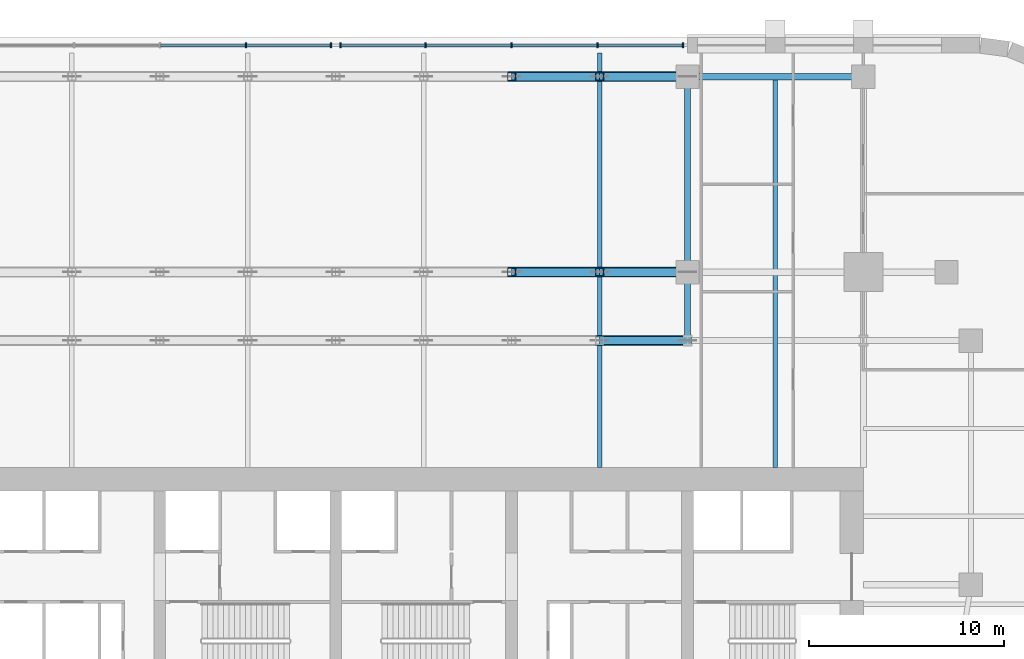
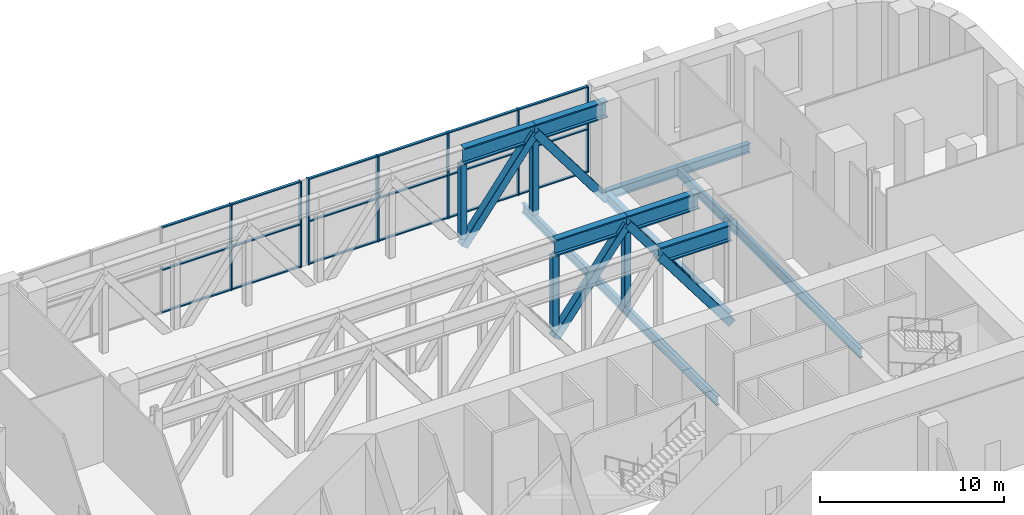
# One storey, part 3 of 13: 39 members, 4 beams, 2 elements without a shape of their own.
"""IFC4 building model written with IfcOpenShell, lengths in metres."""

import ifcopenshell
import ifcopenshell.guid

model = None  # the IFC model being written
_history = None  # IfcOwnerHistory: only IFC2X3 demands one
_inside = {}  # id of a spatial element -> (the spatial element, [elements in it])
_under = {}  # id of a project, library or spatial element -> (it, [spatial elements below it])
_declared = {}  # id of a project -> (the project, [libraries it declares])
_typed = {}  # id of a type object -> (the type object, [elements of that type])
_made_of = {}  # id of a material, layer set ... -> (it, [elements and type objects made of it])


def new_model(schema):
    """Start an empty IFC model of exactly this schema.

    Asked for "IFC4X3", IfcOpenShell would pick the latest addendum, in which some entities
    have other attributes; the version numbers below select the first issue.
    IFC2X3 requires an IfcOwnerHistory on every rooted entity: one is made here for all.
    """
    global model, _history
    if schema == "IFC4X3":
        model = ifcopenshell.file(schema_version=(4, 3, 0, 0))
    else:
        model = ifcopenshell.file(schema=schema)
    _inside.clear()
    _under.clear()
    _declared.clear()
    _typed.clear()
    _made_of.clear()
    _history = None
    if model.schema == "IFC2X3":
        org = make("IfcOrganization", Name="unknown")
        user = make(
            "IfcPersonAndOrganization",
            ThePerson=make("IfcPerson", FamilyName="unknown"),
            TheOrganization=org,
        )
        app = make(
            "IfcApplication",
            ApplicationDeveloper=org,
            Version="unknown",
            ApplicationFullName="unknown",
            ApplicationIdentifier="unknown",
        )
        _history = make(
            "IfcOwnerHistory",
            OwningUser=user,
            OwningApplication=app,
            ChangeAction="ADDED",
            CreationDate=0,
        )
    return model


def make(cls, **values):
    """One entity of the class cls with the attributes given. An attribute that is None is left unset."""
    return model.create_entity(
        cls, **{name: value for name, value in values.items() if value is not None}
    )


def rooted(cls, **values):
    """An entity with a GlobalId (a new one), such as an element, a storey or a relation."""
    return make(cls, GlobalId=ifcopenshell.guid.new(), OwnerHistory=_history, **values)


def si_unit(unit_type, name, prefix=None):
    """IfcSIUnit, for example si_unit("LENGTHUNIT", "METRE", prefix="MILLI")."""
    return make("IfcSIUnit", UnitType=unit_type, Prefix=prefix, Name=name)


def assignment(units):
    """IfcUnitAssignment: the units of a project."""
    return None if units is None else make("IfcUnitAssignment", Units=units)


def point(xyz):
    """IfcCartesianPoint."""
    return None if xyz is None else make("IfcCartesianPoint", Coordinates=xyz)


def direction(xyz):
    """IfcDirection."""
    return None if xyz is None else make("IfcDirection", DirectionRatios=xyz)


def frame(location, z_axis=None, x_axis=None):
    """IfcAxis2Placement3D, a coordinate frame: its origin and axes. An axis left out is left unset."""
    return make(
        "IfcAxis2Placement3D",
        Location=point(location),
        Axis=direction(z_axis),
        RefDirection=direction(x_axis),
    )


def frame_2d(location, x_axis=None):
    """IfcAxis2Placement2D, a coordinate frame in the plane: its origin and x axis."""
    return make(
        "IfcAxis2Placement2D", Location=point(location), RefDirection=direction(x_axis)
    )


def origin():
    """The frame at (0, 0, 0) with its axes left unset."""
    return frame((0.0, 0.0, 0.0))


def origin_2d():
    """The frame at (0, 0) in the plane with its x axis left unset."""
    return frame_2d((0.0, 0.0))


def place(relative_to, where):
    """IfcLocalPlacement: puts the frame where relative to a parent placement (None: the world)."""
    return make(
        "IfcLocalPlacement", PlacementRelTo=relative_to, RelativePlacement=where
    )


def context(
    kind, dimensions, precision=None, world=None, true_north=None, identifier=None
):
    """IfcGeometricRepresentationContext, for example the 3D "Model" context."""
    return make(
        "IfcGeometricRepresentationContext",
        ContextIdentifier=identifier,
        ContextType=kind,
        CoordinateSpaceDimension=dimensions,
        Precision=precision,
        WorldCoordinateSystem=world,
        TrueNorth=true_north,
    )


def subcontext(parent, identifier, kind, view, scale=None):
    """IfcGeometricRepresentationSubContext, for example "Body" below "Model"."""
    return make(
        "IfcGeometricRepresentationSubContext",
        ContextIdentifier=identifier,
        ContextType=kind,
        ParentContext=parent,
        TargetScale=scale,
        TargetView=view,
    )


def project(units=None, contexts=None):
    """IfcProject with its units and contexts."""
    return rooted(
        "IfcProject",
        Name="project",
        RepresentationContexts=contexts,
        UnitsInContext=assignment(units),
    )


def spatial(cls, under=None, at=None, **own):
    """A site, building, storey or space (cls), placed at a placement, below another one or the project."""
    s = rooted(cls, ObjectPlacement=at, **own)
    if under is not None:
        _under.setdefault(under.id(), (under, []))[1].append(s)
    return s


def profile(cls, at=None, kind="AREA", **sizes):
    """A parametric profile (cls). Its sizes go by their IFC names, for example OverallWidth=200.0."""
    return make(cls, ProfileType=kind, Position=at, **sizes)


def rectangle(**sizes):
    """IfcRectangleProfileDef."""
    return profile("IfcRectangleProfileDef", **sizes)


def hollow_rectangle(**sizes):
    """IfcRectangleHollowProfileDef."""
    return profile("IfcRectangleHollowProfileDef", **sizes)


def i_section(**sizes):
    """IfcIShapeProfileDef."""
    return profile("IfcIShapeProfileDef", **sizes)


def extrude(swept, where, along, depth):
    """IfcExtrudedAreaSolid: the profile swept, set in the frame where, extruded along a direction by depth."""
    return make(
        "IfcExtrudedAreaSolid",
        SweptArea=swept,
        Position=where,
        ExtrudedDirection=direction(along),
        Depth=depth,
    )


def shape(context_of_items, identifier, shape_type, items):
    """IfcShapeRepresentation: the items that make up one representation, for example the "Body"."""
    return make(
        "IfcShapeRepresentation",
        ContextOfItems=context_of_items,
        RepresentationIdentifier=identifier,
        RepresentationType=shape_type,
        Items=items,
    )


def material(Name=None, Category=None):
    """IfcMaterial."""
    return make("IfcMaterial", Name=Name, Category=Category)


def material_profile(
    of_material, cross_section, Name=None, Category=None, Priority=None
):
    """IfcMaterialProfile: a cross section and its material."""
    return make(
        "IfcMaterialProfile",
        Name=Name,
        Material=of_material,
        Profile=cross_section,
        Priority=Priority,
        Category=Category,
    )


def profile_set(profiles, Name=None, composite=None):
    """IfcMaterialProfileSet."""
    return make(
        "IfcMaterialProfileSet",
        Name=Name,
        MaterialProfiles=profiles,
        CompositeProfile=composite,
    )


def made_of(thing, what):
    """Note that an element or type object is made of a material, layer set ...; save() writes the relation."""
    if what is not None:
        _made_of.setdefault(what.id(), (what, []))[1].append(thing)
    return thing


def type_object(cls, material=None, **own):
    """A type object (cls), such as IfcWallType, which elements share."""
    return made_of(rooted(cls, **own), material)


def element(
    cls,
    number,
    at=None,
    inside=None,
    cuts=None,
    type_object=None,
    material=None,
    context=None,
    identifier="Body",
    shape_type=None,
    held_by="IfcProductDefinitionShape",
    body=None,
    shapes=None,
    **own,
):
    """One element of the class cls, such as IfcWall. Its Tag is "e" and its number.

    at: its placement. inside: the storey or other place that contains it. cuts: it is an
    opening in that element (IfcRelVoidsElement). A single representation is given by context,
    identifier, shape_type and body (its items); several are given by shapes. held_by: the class
    of the entity that holds the representations. save() writes the other relations.
    """
    e = rooted(cls, Tag="e%d" % number, ObjectPlacement=at, **own)
    if body is not None:
        shapes = [shape(context, identifier, shape_type, body)]
    if shapes is not None:
        e.Representation = make(held_by, Representations=shapes)
    if inside is not None:
        _inside.setdefault(inside.id(), (inside, []))[1].append(e)
    if cuts is not None:
        rooted(
            "IfcRelVoidsElement", RelatingBuildingElement=cuts, RelatedOpeningElement=e
        )
    if type_object is not None:
        _typed.setdefault(type_object.id(), (type_object, []))[1].append(e)
    return made_of(e, material)


def aggregate(whole, parts):
    """IfcRelAggregates: a whole, such as a stair, and the parts it consists of."""
    return rooted("IfcRelAggregates", RelatingObject=whole, RelatedObjects=parts)


def save(model, path):
    """Write the relations noted so far, then the file.

    IfcRelAggregates (storeys below a building ...), IfcRelContainedInSpatialStructure (elements
    in a storey), IfcRelDefinesByType, IfcRelAssociatesMaterial and IfcRelDeclares: one each for
    every whole, place, type object, material and project.
    """
    for whole, parts in _under.values():
        aggregate(whole, parts)
    for where, things in _inside.values():
        rooted(
            "IfcRelContainedInSpatialStructure",
            RelatedElements=things,
            RelatingStructure=where,
        )
    for kind, things in _typed.values():
        rooted("IfcRelDefinesByType", RelatedObjects=things, RelatingType=kind)
    for what, things in _made_of.values():
        rooted("IfcRelAssociatesMaterial", RelatedObjects=things, RelatingMaterial=what)
    for by, libraries in _declared.values():
        rooted("IfcRelDeclares", RelatingContext=by, RelatedDefinitions=libraries)
    model.write(path)


model = new_model("IFC4")

# Units and contexts
model_context = context("Model", 3, precision=1e-05, world=origin(), true_north=direction((0.0, 1.0)))
body_context = subcontext(model_context, "Body", "Model", "MODEL_VIEW")
ifc_project = project(units=[si_unit("LENGTHUNIT", "METRE"), si_unit("AREAUNIT", "SQUARE_METRE"), si_unit("VOLUMEUNIT", "CUBIC_METRE"), si_unit("PLANEANGLEUNIT", "RADIAN"), si_unit("MASSUNIT", "GRAM", prefix="KILO")], contexts=[model_context])

# Site, building, storey
site_placement = place(None, origin())
site = spatial("IfcSite", under=ifc_project, at=site_placement, CompositionType="ELEMENT")
building_placement = place(site_placement, origin())
building = spatial("IfcBuilding", under=site, at=building_placement, Name="Zellij Exchange Tower", CompositionType="ELEMENT")
storey_placement = place(building_placement, frame((0.0, 0.0, 27.0)))
storey = spatial("IfcBuildingStorey", under=building, at=storey_placement, Name="L04", CompositionType="ELEMENT", Elevation=27.0)

# Curtain wall, members
ifc_material_1 = material(Name="Aluminium frame, clear insulating glass", Category="aluminium")
curtain_wall_type = type_object("IfcCurtainWallType", Name="ENV-CW3 Exchange-hall glazing", PredefinedType="NOTDEFINED", material=ifc_material_1)
curtain_wall_1_placement = place(storey_placement, origin())
curtain_wall_1 = element("IfcCurtainWall", 1, at=curtain_wall_1_placement, inside=storey, type_object=curtain_wall_type, Name="cw.L04.14b", PredefinedType="NOTDEFINED")
ifc_material_2 = material(Name="Aluminium", Category="aluminium")
ifc_material_profile_1 = material_profile(ifc_material_2, rectangle(XDim=0.080078125, YDim=0.25, at=origin_2d()), Name="AL 80x250")
ifc_profile_set_1 = profile_set([ifc_material_profile_1], Name="Aluminium")
member_type_1 = type_object("IfcMemberType", Name="ENV-CW3M Mullion 80x250", PredefinedType="MULLION", material=ifc_profile_set_1)
member_1_placement = place(storey_placement, frame((17.760009765625, 19.60009765625, 0.0), z_axis=(0.0, 0.0, 1.0), x_axis=(-1.0, 0.0, 0.0)))
member_1 = element("IfcMember", 2, at=member_1_placement, type_object=member_type_1, Name="CW3 mullion 1", PredefinedType="MULLION", context=body_context, shape_type="SweptSolid", body=[
    extrude(rectangle(XDim=0.080078125, YDim=0.25, at=origin_2d()), origin(), (0.0, 0.0, 1.0), 5.699951171875),
])
member_2_placement = place(storey_placement, frame((13.39990234375, 19.60009765625, 0.0), z_axis=(0.0, 0.0, 1.0), x_axis=(-1.0, 0.0, 0.0)))
member_2 = element("IfcMember", 3, at=member_2_placement, type_object=member_type_1, Name="CW3 mullion 2", PredefinedType="MULLION", context=body_context, shape_type="SweptSolid", body=[
    extrude(rectangle(XDim=0.080078125, YDim=0.25, at=origin_2d()), origin(), (0.0, 0.0, 1.0), 5.699951171875),
])
member_3_placement = place(storey_placement, frame((9.0, 19.60009765625, 0.0), z_axis=(0.0, 0.0, 1.0), x_axis=(-1.0, 0.0, 0.0)))
member_3 = element("IfcMember", 4, at=member_3_placement, type_object=member_type_1, Name="CW3 mullion 3", PredefinedType="MULLION", context=body_context, shape_type="SweptSolid", body=[
    extrude(rectangle(XDim=0.080078125, YDim=0.25, at=origin_2d()), origin(), (0.0, 0.0, 1.0), 5.699951171875),
])
member_4_placement = place(storey_placement, frame((4.60009765625, 19.60009765625, 0.0), z_axis=(0.0, 0.0, 1.0), x_axis=(-1.0, 0.0, 0.0)))
member_4 = element("IfcMember", 5, at=member_4_placement, type_object=member_type_1, Name="CW3 mullion 4", PredefinedType="MULLION", context=body_context, shape_type="SweptSolid", body=[
    extrude(rectangle(XDim=0.080078125, YDim=0.25, at=origin_2d()), origin(), (0.0, 0.0, 1.0), 5.699951171875),
])
member_5_placement = place(storey_placement, frame((0.239990234375, 19.60009765625, 0.0), z_axis=(0.0, 0.0, 1.0), x_axis=(-1.0, 0.0, 0.0)))
member_5 = element("IfcMember", 6, at=member_5_placement, type_object=member_type_1, Name="CW3 mullion 5", PredefinedType="MULLION", context=body_context, shape_type="SweptSolid", body=[
    extrude(rectangle(XDim=0.080078125, YDim=0.25, at=origin_2d()), origin(), (0.0, 0.0, 1.0), 5.699951171875),
])

curtain_wall_2_placement = place(storey_placement, origin())
curtain_wall_2 = element("IfcCurtainWall", 7, at=curtain_wall_2_placement, inside=storey, type_object=curtain_wall_type, Name="cw.L04.14c", PredefinedType="NOTDEFINED")
member_6_placement = place(storey_placement, frame((-0.239990234375, 19.60009765625, 0.0), z_axis=(0.0, 0.0, 1.0), x_axis=(-1.0, 0.0, 0.0)))
member_6 = element("IfcMember", 8, at=member_6_placement, type_object=member_type_1, Name="CW3 mullion 1", PredefinedType="MULLION", context=body_context, shape_type="SweptSolid", body=[
    extrude(rectangle(XDim=0.080078125, YDim=0.25, at=origin_2d()), origin(), (0.0, 0.0, 1.0), 5.699951171875),
])
member_7_placement = place(storey_placement, frame((-4.60009765625, 19.60009765625, 0.0), z_axis=(0.0, 0.0, 1.0), x_axis=(-1.0, 0.0, 0.0)))
member_7 = element("IfcMember", 9, at=member_7_placement, type_object=member_type_1, Name="CW3 mullion 2", PredefinedType="MULLION", context=body_context, shape_type="SweptSolid", body=[
    extrude(rectangle(XDim=0.080078125, YDim=0.25, at=origin_2d()), origin(), (0.0, 0.0, 1.0), 5.699951171875),
])

# Member
ifc_material_profile_2 = material_profile(ifc_material_2, rectangle(XDim=0.159912109375, YDim=0.080078125, at=origin_2d()), Name="AL 160x80")
ifc_profile_set_2 = profile_set([ifc_material_profile_2], Name="Aluminium")
member_type_2 = type_object("IfcMemberType", Name="ENV-CW3T Transom 160x80", PredefinedType="USERDEFINED", material=ifc_profile_set_2)
member_8_placement = place(storey_placement, frame((17.719970703125, 19.60009765625, 0.0400390625), z_axis=(-1.0, 0.0, 0.0), x_axis=(0.0, -1.0, 0.0)))
member_8 = element("IfcMember", 10, at=member_8_placement, type_object=member_type_2, Name="CW3 transom 1.1", ObjectType="TRANSOM", PredefinedType="USERDEFINED", context=body_context, shape_type="SweptSolid", body=[
    extrude(rectangle(XDim=0.159912109375, YDim=0.080078125, at=origin_2d()), origin(), (0.0, 0.0, 1.0), 4.280029296875),
])

member_9_placement = place(storey_placement, frame((17.719970703125, 19.60009765625, 2.85009765625), z_axis=(-1.0, 0.0, 0.0), x_axis=(0.0, -1.0, 0.0)))
member_9 = element("IfcMember", 11, at=member_9_placement, type_object=member_type_2, Name="CW3 transom 1.2", ObjectType="TRANSOM", PredefinedType="USERDEFINED", context=body_context, shape_type="SweptSolid", body=[
    extrude(rectangle(XDim=0.159912109375, YDim=0.080078125, at=origin_2d()), origin(), (0.0, 0.0, 1.0), 4.280029296875),
])

member_10_placement = place(storey_placement, frame((17.719970703125, 19.60009765625, 5.659912109375), z_axis=(-1.0, 0.0, 0.0), x_axis=(0.0, -1.0, 0.0)))
member_10 = element("IfcMember", 12, at=member_10_placement, type_object=member_type_2, Name="CW3 transom 1.3", ObjectType="TRANSOM", PredefinedType="USERDEFINED", context=body_context, shape_type="SweptSolid", body=[
    extrude(rectangle(XDim=0.159912109375, YDim=0.080078125, at=origin_2d()), origin(), (0.0, 0.0, 1.0), 4.280029296875),
])

member_11_placement = place(storey_placement, frame((13.360107421875, 19.60009765625, 0.0400390625), z_axis=(-1.0, 0.0, 0.0), x_axis=(0.0, -1.0, 0.0)))
member_11 = element("IfcMember", 13, at=member_11_placement, type_object=member_type_2, Name="CW3 transom 2.1", ObjectType="TRANSOM", PredefinedType="USERDEFINED", context=body_context, shape_type="SweptSolid", body=[
    extrude(rectangle(XDim=0.159912109375, YDim=0.080078125, at=origin_2d()), origin(), (0.0, 0.0, 1.0), 4.320068359375),
])

member_12_placement = place(storey_placement, frame((13.360107421875, 19.60009765625, 2.85009765625), z_axis=(-1.0, 0.0, 0.0), x_axis=(0.0, -1.0, 0.0)))
member_12 = element("IfcMember", 14, at=member_12_placement, type_object=member_type_2, Name="CW3 transom 2.2", ObjectType="TRANSOM", PredefinedType="USERDEFINED", context=body_context, shape_type="SweptSolid", body=[
    extrude(rectangle(XDim=0.159912109375, YDim=0.080078125, at=origin_2d()), origin(), (0.0, 0.0, 1.0), 4.320068359375),
])

member_13_placement = place(storey_placement, frame((13.360107421875, 19.60009765625, 5.659912109375), z_axis=(-1.0, 0.0, 0.0), x_axis=(0.0, -1.0, 0.0)))
member_13 = element("IfcMember", 15, at=member_13_placement, type_object=member_type_2, Name="CW3 transom 2.3", ObjectType="TRANSOM", PredefinedType="USERDEFINED", context=body_context, shape_type="SweptSolid", body=[
    extrude(rectangle(XDim=0.159912109375, YDim=0.080078125, at=origin_2d()), origin(), (0.0, 0.0, 1.0), 4.320068359375),
])

member_14_placement = place(storey_placement, frame((8.9599609375, 19.60009765625, 0.0400390625), z_axis=(-1.0, 0.0, 0.0), x_axis=(0.0, -1.0, 0.0)))
member_14 = element("IfcMember", 16, at=member_14_placement, type_object=member_type_2, Name="CW3 transom 3.1", ObjectType="TRANSOM", PredefinedType="USERDEFINED", context=body_context, shape_type="SweptSolid", body=[
    extrude(rectangle(XDim=0.159912109375, YDim=0.080078125, at=origin_2d()), origin(), (0.0, 0.0, 1.0), 4.320068359375),
])

member_15_placement = place(storey_placement, frame((8.9599609375, 19.60009765625, 2.85009765625), z_axis=(-1.0, 0.0, 0.0), x_axis=(0.0, -1.0, 0.0)))
member_15 = element("IfcMember", 17, at=member_15_placement, type_object=member_type_2, Name="CW3 transom 3.2", ObjectType="TRANSOM", PredefinedType="USERDEFINED", context=body_context, shape_type="SweptSolid", body=[
    extrude(rectangle(XDim=0.159912109375, YDim=0.080078125, at=origin_2d()), origin(), (0.0, 0.0, 1.0), 4.320068359375),
])

member_16_placement = place(storey_placement, frame((8.9599609375, 19.60009765625, 5.659912109375), z_axis=(-1.0, 0.0, 0.0), x_axis=(0.0, -1.0, 0.0)))
member_16 = element("IfcMember", 18, at=member_16_placement, type_object=member_type_2, Name="CW3 transom 3.3", ObjectType="TRANSOM", PredefinedType="USERDEFINED", context=body_context, shape_type="SweptSolid", body=[
    extrude(rectangle(XDim=0.159912109375, YDim=0.080078125, at=origin_2d()), origin(), (0.0, 0.0, 1.0), 4.320068359375),
])

member_17_placement = place(storey_placement, frame((4.56005859375, 19.60009765625, 0.0400390625), z_axis=(-1.0, 0.0, 0.0), x_axis=(0.0, -1.0, 0.0)))
member_17 = element("IfcMember", 19, at=member_17_placement, type_object=member_type_2, Name="CW3 transom 4.1", ObjectType="TRANSOM", PredefinedType="USERDEFINED", context=body_context, shape_type="SweptSolid", body=[
    extrude(rectangle(XDim=0.159912109375, YDim=0.080078125, at=origin_2d()), origin(), (0.0, 0.0, 1.0), 4.280029296875),
])

member_18_placement = place(storey_placement, frame((4.56005859375, 19.60009765625, 2.85009765625), z_axis=(-1.0, 0.0, 0.0), x_axis=(0.0, -1.0, 0.0)))
member_18 = element("IfcMember", 20, at=member_18_placement, type_object=member_type_2, Name="CW3 transom 4.2", ObjectType="TRANSOM", PredefinedType="USERDEFINED", context=body_context, shape_type="SweptSolid", body=[
    extrude(rectangle(XDim=0.159912109375, YDim=0.080078125, at=origin_2d()), origin(), (0.0, 0.0, 1.0), 4.280029296875),
])

member_19_placement = place(storey_placement, frame((4.56005859375, 19.60009765625, 5.659912109375), z_axis=(-1.0, 0.0, 0.0), x_axis=(0.0, -1.0, 0.0)))
member_19 = element("IfcMember", 21, at=member_19_placement, type_object=member_type_2, Name="CW3 transom 4.3", ObjectType="TRANSOM", PredefinedType="USERDEFINED", context=body_context, shape_type="SweptSolid", body=[
    extrude(rectangle(XDim=0.159912109375, YDim=0.080078125, at=origin_2d()), origin(), (0.0, 0.0, 1.0), 4.280029296875),
])

aggregate(curtain_wall_1, [member_1, member_2, member_3, member_4, member_5, member_8, member_9, member_10, member_11, member_12, member_13, member_14, member_15, member_16, member_17, member_18, member_19])

member_20_placement = place(storey_placement, frame((-0.280029296875, 19.60009765625, 0.0400390625), z_axis=(-1.0, 0.0, 0.0), x_axis=(0.0, -1.0, 0.0)))
member_20 = element("IfcMember", 22, at=member_20_placement, type_object=member_type_2, Name="CW3 transom 1.1", ObjectType="TRANSOM", PredefinedType="USERDEFINED", context=body_context, shape_type="SweptSolid", body=[
    extrude(rectangle(XDim=0.159912109375, YDim=0.080078125, at=origin_2d()), origin(), (0.0, 0.0, 1.0), 4.280029296875),
])

member_21_placement = place(storey_placement, frame((-0.280029296875, 19.60009765625, 2.85009765625), z_axis=(-1.0, 0.0, 0.0), x_axis=(0.0, -1.0, 0.0)))
member_21 = element("IfcMember", 23, at=member_21_placement, type_object=member_type_2, Name="CW3 transom 1.2", ObjectType="TRANSOM", PredefinedType="USERDEFINED", context=body_context, shape_type="SweptSolid", body=[
    extrude(rectangle(XDim=0.159912109375, YDim=0.080078125, at=origin_2d()), origin(), (0.0, 0.0, 1.0), 4.280029296875),
])

member_22_placement = place(storey_placement, frame((-0.280029296875, 19.60009765625, 5.659912109375), z_axis=(-1.0, 0.0, 0.0), x_axis=(0.0, -1.0, 0.0)))
member_22 = element("IfcMember", 24, at=member_22_placement, type_object=member_type_2, Name="CW3 transom 1.3", ObjectType="TRANSOM", PredefinedType="USERDEFINED", context=body_context, shape_type="SweptSolid", body=[
    extrude(rectangle(XDim=0.159912109375, YDim=0.080078125, at=origin_2d()), origin(), (0.0, 0.0, 1.0), 4.280029296875),
])

member_23_placement = place(storey_placement, frame((-4.639892578125, 19.60009765625, 0.0400390625), z_axis=(-1.0, 0.0, 0.0), x_axis=(0.0, -1.0, 0.0)))
member_23 = element("IfcMember", 25, at=member_23_placement, type_object=member_type_2, Name="CW3 transom 2.1", ObjectType="TRANSOM", PredefinedType="USERDEFINED", context=body_context, shape_type="SweptSolid", body=[
    extrude(rectangle(XDim=0.159912109375, YDim=0.080078125, at=origin_2d()), origin(), (0.0, 0.0, 1.0), 4.320068359375),
])

member_24_placement = place(storey_placement, frame((-4.639892578125, 19.60009765625, 2.85009765625), z_axis=(-1.0, 0.0, 0.0), x_axis=(0.0, -1.0, 0.0)))
member_24 = element("IfcMember", 26, at=member_24_placement, type_object=member_type_2, Name="CW3 transom 2.2", ObjectType="TRANSOM", PredefinedType="USERDEFINED", context=body_context, shape_type="SweptSolid", body=[
    extrude(rectangle(XDim=0.159912109375, YDim=0.080078125, at=origin_2d()), origin(), (0.0, 0.0, 1.0), 4.320068359375),
])

member_25_placement = place(storey_placement, frame((-4.639892578125, 19.60009765625, 5.659912109375), z_axis=(-1.0, 0.0, 0.0), x_axis=(0.0, -1.0, 0.0)))
member_25 = element("IfcMember", 27, at=member_25_placement, type_object=member_type_2, Name="CW3 transom 2.3", ObjectType="TRANSOM", PredefinedType="USERDEFINED", context=body_context, shape_type="SweptSolid", body=[
    extrude(rectangle(XDim=0.159912109375, YDim=0.080078125, at=origin_2d()), origin(), (0.0, 0.0, 1.0), 4.320068359375),
])

aggregate(curtain_wall_2, [member_6, member_7, member_20, member_21, member_22, member_23, member_24, member_25])

# Beams
ifc_material_3 = material(Name="Structural steel ASTM A992 Gr 50", Category="steel")
ifc_material_profile_3 = material_profile(ifc_material_3, i_section(OverallWidth=0.22900390625, OverallDepth=0.612060546875, WebThickness=0.011962890625, FlangeThickness=0.01953125, at=origin_2d()), Name="W24x84")
ifc_profile_set_3 = profile_set([ifc_material_profile_3], Name="Structural steel ASTM A992 Gr 50")
beam_type_1 = type_object("IfcBeamType", Name="STR-BEAM W24x84", PredefinedType="BEAM", material=ifc_profile_set_3)
beam_1_placement = place(storey_placement, frame((13.5, -2.0, -0.606201171875), z_axis=(0.0, 1.0, 0.0), x_axis=(-1.0, 0.0, 0.0)))
element("IfcBeam", 28, at=beam_1_placement, inside=storey, type_object=beam_type_1, Name="B6", PredefinedType="BEAM", context=body_context, shape_type="SweptSolid", body=[
    extrude(i_section(OverallWidth=0.22900390625, OverallDepth=0.612060546875, WebThickness=0.011962890625, FlangeThickness=0.01953125, at=origin_2d()), origin(), (0.0, 0.0, 1.0), 21.199951171875),
])
beam_2_placement = place(storey_placement, frame((22.5, -2.0, -0.606201171875), z_axis=(0.0, 1.0, 0.0), x_axis=(-1.0, 0.0, 0.0)))
element("IfcBeam", 29, at=beam_2_placement, inside=storey, type_object=beam_type_1, Name="B6", PredefinedType="BEAM", context=body_context, shape_type="SweptSolid", body=[
    extrude(i_section(OverallWidth=0.22900390625, OverallDepth=0.612060546875, WebThickness=0.011962890625, FlangeThickness=0.01953125, at=origin_2d()), origin(), (0.0, 0.0, 1.0), 20.16259765625),
])
ifc_material_profile_4 = material_profile(ifc_material_3, i_section(OverallWidth=0.3251953125, OverallDepth=0.612060546875, WebThickness=0.0126953125, FlangeThickness=0.01904296875, at=origin_2d()), Name="W24x104")
ifc_profile_set_4 = profile_set([ifc_material_profile_4], Name="Structural steel ASTM A992 Gr 50")
beam_type_2 = type_object("IfcBeamType", Name="STR-GIRDER W24x104", PredefinedType="BEAM", material=ifc_profile_set_4)
beam_3_placement = place(storey_placement, frame((18.0, 18.0, -0.606201171875), z_axis=(1.0, 0.0, 0.0), x_axis=(0.0, 1.0, 0.0)))
element("IfcBeam", 30, at=beam_3_placement, inside=storey, type_object=beam_type_2, Name="G3", PredefinedType="BEAM", context=body_context, shape_type="SweptSolid", body=[
    extrude(i_section(OverallWidth=0.3251953125, OverallDepth=0.612060546875, WebThickness=0.0126953125, FlangeThickness=0.01904296875, at=origin_2d()), origin(), (0.0, 0.0, 1.0), 9.0),
])
beam_4_placement = place(storey_placement, frame((18.0, 4.5, -0.606201171875), z_axis=(0.0, 1.0, 0.0), x_axis=(-1.0, 0.0, 0.0)))
element("IfcBeam", 31, at=beam_4_placement, inside=storey, type_object=beam_type_2, Name="G3", PredefinedType="BEAM", context=body_context, shape_type="SweptSolid", body=[
    extrude(i_section(OverallWidth=0.3251953125, OverallDepth=0.612060546875, WebThickness=0.0126953125, FlangeThickness=0.01904296875, at=origin_2d()), origin(), (0.0, 0.0, 1.0), 13.5),
])

# Members
ifc_material_4 = material(Name="Structural steel ASTM A913 Gr 65", Category="steel")
ifc_material_profile_5 = material_profile(ifc_material_4, i_section(OverallWidth=0.424072265625, OverallDepth=1.09228515625, WebThickness=0.04541015625, FlangeThickness=0.08203125, at=origin_2d()), Name="W40x593")
ifc_profile_set_5 = profile_set([ifc_material_profile_5], Name="Structural steel ASTM A913 Gr 65")
member_type_3 = type_object("IfcMemberType", Name="STR-PODIUM TRANSFER TRUSS CHORD W40x593", PredefinedType="CHORD", material=ifc_profile_set_5)
for number, where, z_axis, x_axis, name in (
    (32, (13.5, 4.5, 5.15380859375), (1.0, 0.0, 0.0), (0.0, 1.0, 0.0), "PT1"),
    (33, (9.0, 8.0, 5.15380859375), (1.0, 0.0, 0.0), (0.0, 1.0, 0.0), "PT1"),
    (34, (13.5, 8.0, 5.15380859375), (1.0, 0.0, 0.0), (0.0, 1.0, 0.0), "PT1"),
    (35, (9.0, 18.0, 5.15380859375), (1.0, 0.0, 0.0), (0.0, 1.0, 0.0), "PT1"),
    (36, (13.5, 18.0, 5.15380859375), (1.0, 0.0, 0.0), (0.0, 1.0, 0.0), "PT1"),
):
    element("IfcMember", number, at=place(storey_placement, frame(where, z_axis=z_axis, x_axis=x_axis)), inside=storey, type_object=member_type_3, Name=name, PredefinedType="CHORD", context=body_context, shape_type="SweptSolid", body=[
        extrude(i_section(OverallWidth=0.424072265625, OverallDepth=1.09228515625, WebThickness=0.04541015625, FlangeThickness=0.08203125, at=origin_2d()), origin(), (0.0, 0.0, 1.0), 4.5),
    ])
ifc_material_5 = material(Name="Structural steel ASTM A500 Gr C", Category="steel")
ifc_material_profile_6 = material_profile(ifc_material_5, hollow_rectangle(XDim=0.508056640625, YDim=0.508056640625, WallThickness=0.0146484375, InnerFilletRadius=0.0146484375, OuterFilletRadius=0.029541015625, at=origin_2d()), Name="STR-PODIUM TRANSFER TRUSS DIAGONAL HSS20x20x5/8")
ifc_profile_set_6 = profile_set([ifc_material_profile_6], Name="Structural steel ASTM A500 Gr C")
member_type_4 = type_object("IfcMemberType", Name="STR-PODIUM TRANSFER TRUSS DIAGONAL HSS20x20x5/8", PredefinedType="BRACE", material=ifc_profile_set_6)
for number, where, z_axis, x_axis, name in (
    (37, (13.5, 4.5, 5.15380859375), (0.6, 0.0, -0.8), (0.0, 1.0, 0.0), "PT2"),
    (38, (9.0, 8.0, -0.84619140625), (0.6, 0.0, 0.8), (0.0, 1.0, 0.0), "PT2"),
    (39, (13.5, 8.0, 5.15380859375), (0.6, 0.0, -0.8), (0.0, 1.0, 0.0), "PT2"),
    (40, (9.0, 18.0, -0.84619140625), (0.6, 0.0, 0.8), (0.0, 1.0, 0.0), "PT2"),
    (41, (13.5, 18.0, 5.15380859375), (0.6, 0.0, -0.8), (0.0, 1.0, 0.0), "PT2"),
):
    element("IfcMember", number, at=place(storey_placement, frame(where, z_axis=z_axis, x_axis=x_axis)), inside=storey, type_object=member_type_4, Name=name, PredefinedType="BRACE", context=body_context, shape_type="SweptSolid", body=[
        extrude(hollow_rectangle(XDim=0.508056640625, YDim=0.508056640625, WallThickness=0.0146484375, InnerFilletRadius=0.0146484375, OuterFilletRadius=0.029541015625, at=origin_2d()), origin(), (0.0, 0.0, 1.0), 7.5),
    ])
ifc_material_profile_7 = material_profile(ifc_material_5, hollow_rectangle(XDim=0.406494140625, YDim=0.406494140625, WallThickness=0.0146484375, InnerFilletRadius=0.0146484375, OuterFilletRadius=0.029541015625, at=origin_2d()), Name="STR-PODIUM TRANSFER TRUSS POST HSS16x16x5/8")
ifc_profile_set_7 = profile_set([ifc_material_profile_7], Name="Structural steel ASTM A500 Gr C")
member_type_5 = type_object("IfcMemberType", Name="STR-PODIUM TRANSFER TRUSS POST HSS16x16x5/8", PredefinedType="POST", material=ifc_profile_set_7)
for number, where, z_axis, x_axis, name in (
    (42, (9.0, 8.0, -0.300048828125), (0.0, 0.0, 1.0), (1.0, 0.0, 0.0), "PT3"),
    (43, (13.5, 8.0, -0.300048828125), (0.0, 0.0, 1.0), (1.0, 0.0, 0.0), "PT3"),
    (44, (9.0, 18.0, -0.300048828125), (0.0, 0.0, 1.0), (1.0, 0.0, 0.0), "PT3"),
    (45, (13.5, 18.0, -0.300048828125), (0.0, 0.0, 1.0), (1.0, 0.0, 0.0), "PT3"),
):
    element("IfcMember", number, at=place(storey_placement, frame(where, z_axis=z_axis, x_axis=x_axis)), inside=storey, type_object=member_type_5, Name=name, PredefinedType="POST", context=body_context, shape_type="SweptSolid", body=[
        extrude(hollow_rectangle(XDim=0.406494140625, YDim=0.406494140625, WallThickness=0.0146484375, InnerFilletRadius=0.0146484375, OuterFilletRadius=0.029541015625, at=origin_2d()), origin(), (0.0, 0.0, 1.0), 4.907958984375),
    ])

save(model, "model.ifc")
